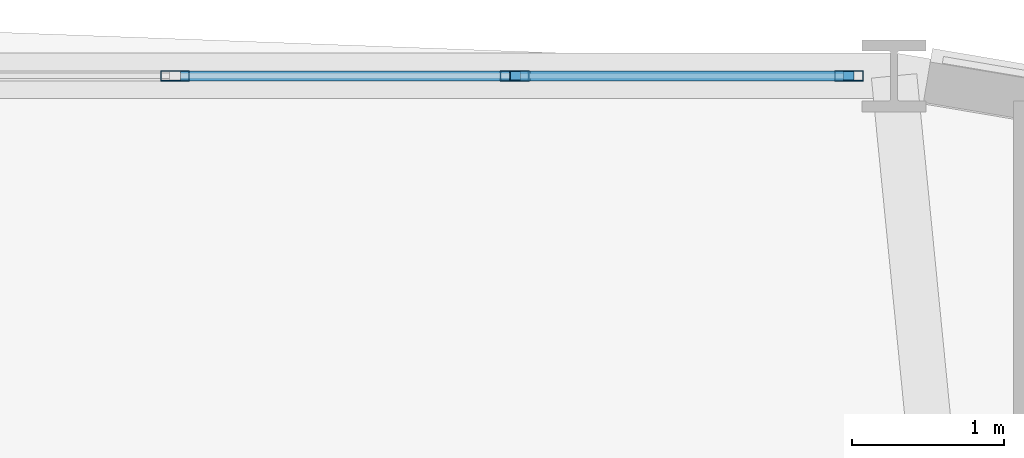
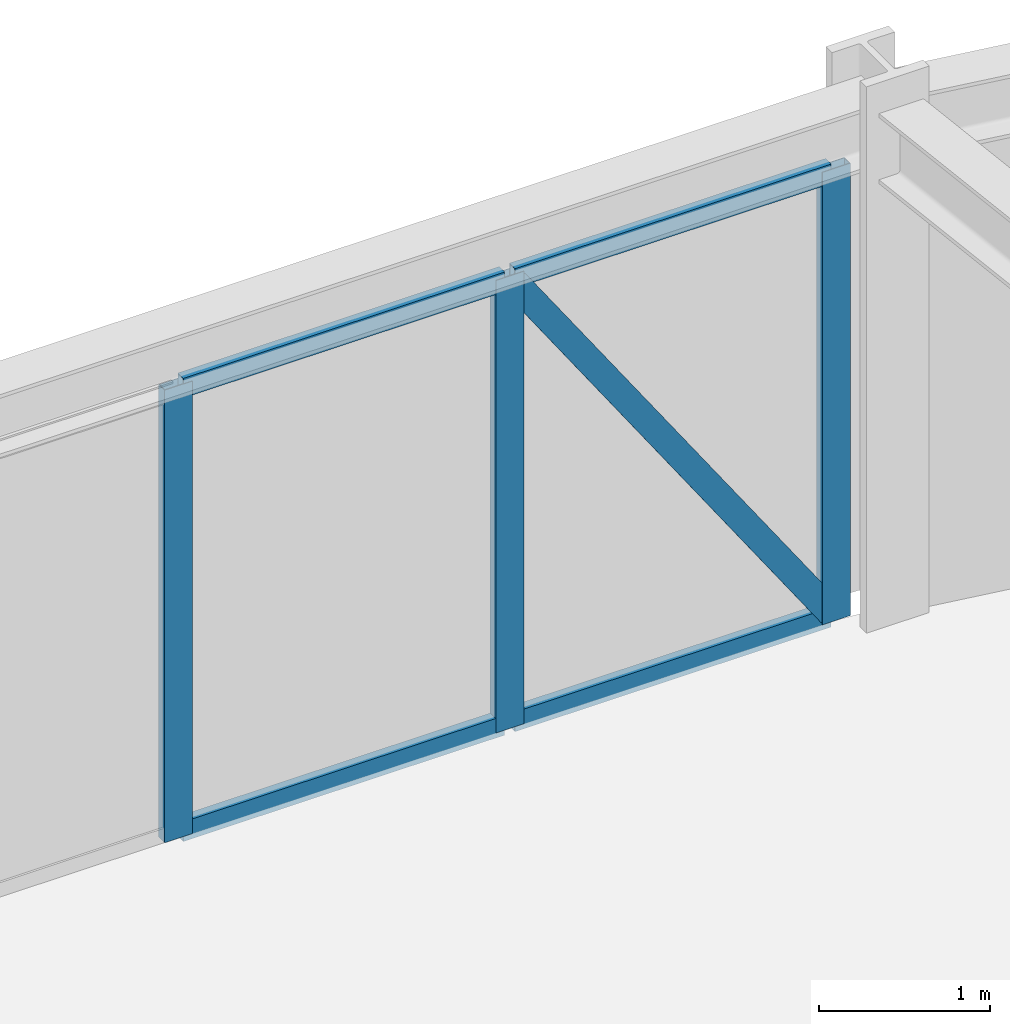
# One storey, part 13 of 23: 8 members, 1 element without a shape of its own.
"""IFC4 building model written with IfcOpenShell, lengths in metres."""

from ifc_helpers import new_model, si_unit, derived_unit, direction, frame, origin, origin_2d, place, context, subcontext, project, spatial, hollow_rectangle, extrude, source, transform, mapped, material, layer, layer_set, material_profile, profile_set, type_object, element, aggregate, save


model = new_model("IFC4")

# Units and contexts
model_context = context("Model", 3, precision=1e-05, world=origin(), true_north=direction((0.0, 1.0)))
body_context = subcontext(model_context, "Body", "Model", "MODEL_VIEW")
ifc_project = project(units=[si_unit("LENGTHUNIT", "METRE"), si_unit("AREAUNIT", "SQUARE_METRE"), si_unit("VOLUMEUNIT", "CUBIC_METRE"), si_unit("PLANEANGLEUNIT", "RADIAN"), si_unit("MASSUNIT", "GRAM", prefix="KILO"), derived_unit("THERMALTRANSMITTANCEUNIT", [(si_unit("POWERUNIT", "WATT"), 1), (si_unit("LENGTHUNIT", "METRE"), -2), (si_unit("THERMODYNAMICTEMPERATUREUNIT", "KELVIN"), -1)])], contexts=[model_context])

# Site, building, storey
site_placement = place(None, origin())
site = spatial("IfcSite", under=ifc_project, at=site_placement, CompositionType="ELEMENT")
building_placement = place(site_placement, origin())
building = spatial("IfcBuilding", under=site, at=building_placement, Name="Korsvarv Bourse and Concert Hall", CompositionType="ELEMENT")
storey_placement = place(building_placement, frame((0.0, 0.0, 24.0)))
storey = spatial("IfcBuildingStorey", under=building, at=storey_placement, Name="L05", CompositionType="ELEMENT", Elevation=24.0)

# Curtain wall, members
ifc_material_1 = material(Name="Anodised aluminium and triple low-E glazing", Category="glass")
ifc_layer = layer(ifc_material_1, 0.219970703125)
ifc_layer_set = layer_set([ifc_layer], Name="Anodised aluminium and triple low-E glazing")
curtain_wall_type = type_object("IfcCurtainWallType", Name="CW-SYS-1", PredefinedType="NOTDEFINED", material=ifc_layer_set)
curtain_wall_placement = place(storey_placement, origin())
curtain_wall = element("IfcCurtainWall", 1, at=curtain_wall_placement, inside=storey, type_object=curtain_wall_type, Name="L05 CW1 curtain wall CW-L05-F03", PredefinedType="NOTDEFINED")
ifc_material_2 = material(Name="Extruded aluminium EN AW-6063 T66", Category="aluminium")
ifc_material_profile_1 = material_profile(ifc_material_2, hollow_rectangle(XDim=0.070068359375, YDim=0.18994140625, WallThickness=0.0048828125, at=origin_2d()), Name="ALU-M 70x190")
ifc_profile_set_1 = profile_set([ifc_material_profile_1], Name="Extruded aluminium EN AW-6063 T66")
member_type_1 = type_object("IfcMemberType", Name="CWM-190", PredefinedType="MULLION", material=ifc_profile_set_1)
shared_shape_1 = source(origin(), body_context, "Body", "SweptSolid", [
    extrude(hollow_rectangle(XDim=0.070068359375, YDim=0.18994140625, WallThickness=0.0048828125, at=origin_2d()), origin(), (0.0, 0.0, 1.0), 3.22998046875),
])
member_1_placement = place(storey_placement, frame((43.800537109375, 57.9169921875, 0.0), z_axis=(0.0, 0.0, 1.0), x_axis=(0.0, -1.0, 0.0)))
member_1 = element("IfcMember", 2, at=member_1_placement, type_object=member_type_1, Name="CW1 mullion 1", PredefinedType="MULLION", context=body_context, shape_type="MappedRepresentation", body=[
    mapped(shared_shape_1, transform((0.0, 0.0, 0.0), scale=1.0)),
])
member_2_placement = place(storey_placement, frame((41.5966796875, 57.9169921875, 0.0), z_axis=(0.0, 0.0, 1.0), x_axis=(0.0, -1.0, 0.0)))
member_2 = element("IfcMember", 3, at=member_2_placement, type_object=member_type_1, Name="CW1 mullion 2", PredefinedType="MULLION", context=body_context, shape_type="MappedRepresentation", body=[
    mapped(shared_shape_1, transform((0.0, 0.0, 0.0), scale=1.0)),
])
member_3_placement = place(storey_placement, frame((39.358154296875, 57.9169921875, 0.0), z_axis=(0.0, 0.0, 1.0), x_axis=(0.0, -1.0, 0.0)))
member_3 = element("IfcMember", 4, at=member_3_placement, type_object=member_type_1, Name="CW1 mullion 3", PredefinedType="MULLION", context=body_context, shape_type="MappedRepresentation", body=[
    mapped(shared_shape_1, transform((0.0, 0.0, 0.0), scale=1.0)),
])
ifc_material_profile_2 = material_profile(ifc_material_2, hollow_rectangle(XDim=0.06494140625, YDim=0.139892578125, WallThickness=0.00390625, at=origin_2d()), Name="ALU-T 65x140")
ifc_profile_set_2 = profile_set([ifc_material_profile_2], Name="Extruded aluminium EN AW-6063 T66")
member_type_2 = type_object("IfcMemberType", Name="CWT-140", PredefinedType="USERDEFINED", material=ifc_profile_set_2)
shared_shape_2 = source(origin(), body_context, "Body", "SweptSolid", [
    extrude(hollow_rectangle(XDim=0.06494140625, YDim=0.139892578125, WallThickness=0.00390625, at=origin_2d()), origin(), (0.0, 0.0, 1.0), 2.133544921875),
])
member_4_placement = place(storey_placement, frame((43.765380859375, 57.9169921875, 0.032470703125), z_axis=(-1.0, 0.0, 0.0), x_axis=(0.0, -1.0, 0.0)))
member_4 = element("IfcMember", 5, at=member_4_placement, type_object=member_type_2, Name="CW1 transom 1.1", ObjectType="TRANSOM", PredefinedType="USERDEFINED", context=body_context, shape_type="MappedRepresentation", body=[
    mapped(shared_shape_2, transform((0.0, 0.0, 0.0), scale=1.0)),
])
member_5_placement = place(storey_placement, frame((43.765380859375, 57.9169921875, 3.197509765625), z_axis=(-1.0, 0.0, 0.0), x_axis=(0.0, -1.0, 0.0)))
member_5 = element("IfcMember", 6, at=member_5_placement, type_object=member_type_2, Name="CW1 transom 1.2", ObjectType="TRANSOM", PredefinedType="USERDEFINED", context=body_context, shape_type="MappedRepresentation", body=[
    mapped(shared_shape_2, transform((0.0, 0.0, 0.0), scale=1.0)),
])
ifc_material_profile_3 = material_profile(ifc_material_2, hollow_rectangle(XDim=0.06494140625, YDim=0.1650390625, WallThickness=0.0048828125, at=origin_2d()), Name="ALU-M 65x165")
ifc_profile_set_3 = profile_set([ifc_material_profile_3], Name="Extruded aluminium EN AW-6063 T66")
member_type_3 = type_object("IfcMemberType", Name="CWM-165", PredefinedType="MULLION", material=ifc_profile_set_3)
shared_shape_3 = source(origin(), body_context, "Body", "SweptSolid", [
    extrude(hollow_rectangle(XDim=0.06494140625, YDim=0.1650390625, WallThickness=0.0048828125, at=origin_2d()), origin(), (0.0, 0.0, 1.0), 3.763427734375),
])
member_6_placement = place(storey_placement, frame((43.765380859375, 57.9169921875, 0.06494140625), z_axis=(-0.566930731134, 0.0, 0.823765467895), x_axis=(0.0, -1.0, 0.0)))
member_6 = element("IfcMember", 7, at=member_6_placement, type_object=member_type_3, Name="CW1 diagonal mullion 1", PredefinedType="MULLION", context=body_context, shape_type="MappedRepresentation", body=[
    mapped(shared_shape_3, transform((0.0, 0.0, 0.0), scale=1.0)),
])
shared_shape_4 = source(origin(), body_context, "Body", "SweptSolid", [
    extrude(hollow_rectangle(XDim=0.06494140625, YDim=0.139892578125, WallThickness=0.00390625, at=origin_2d()), origin(), (0.0, 0.0, 1.0), 2.168701171875),
])
member_7_placement = place(storey_placement, frame((41.561767578125, 57.9169921875, 0.032470703125), z_axis=(-1.0, 0.0, 0.0), x_axis=(0.0, -1.0, 0.0)))
member_7 = element("IfcMember", 8, at=member_7_placement, type_object=member_type_2, Name="CW1 transom 2.1", ObjectType="TRANSOM", PredefinedType="USERDEFINED", context=body_context, shape_type="MappedRepresentation", body=[
    mapped(shared_shape_4, transform((0.0, 0.0, 0.0), scale=1.0)),
])
member_8_placement = place(storey_placement, frame((41.561767578125, 57.9169921875, 3.197509765625), z_axis=(-1.0, 0.0, 0.0), x_axis=(0.0, -1.0, 0.0)))
member_8 = element("IfcMember", 9, at=member_8_placement, type_object=member_type_2, Name="CW1 transom 2.2", ObjectType="TRANSOM", PredefinedType="USERDEFINED", context=body_context, shape_type="MappedRepresentation", body=[
    mapped(shared_shape_4, transform((0.0, 0.0, 0.0), scale=1.0)),
])
aggregate(curtain_wall, [member_1, member_2, member_3, member_4, member_5, member_6, member_7, member_8])

save(model, "model.ifc")
